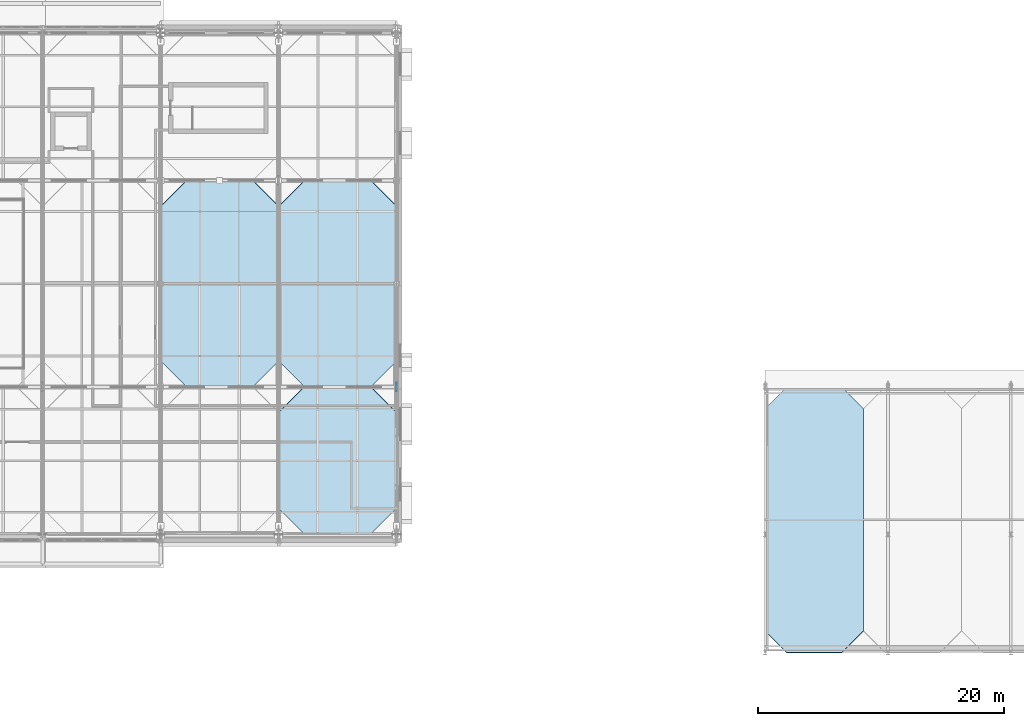
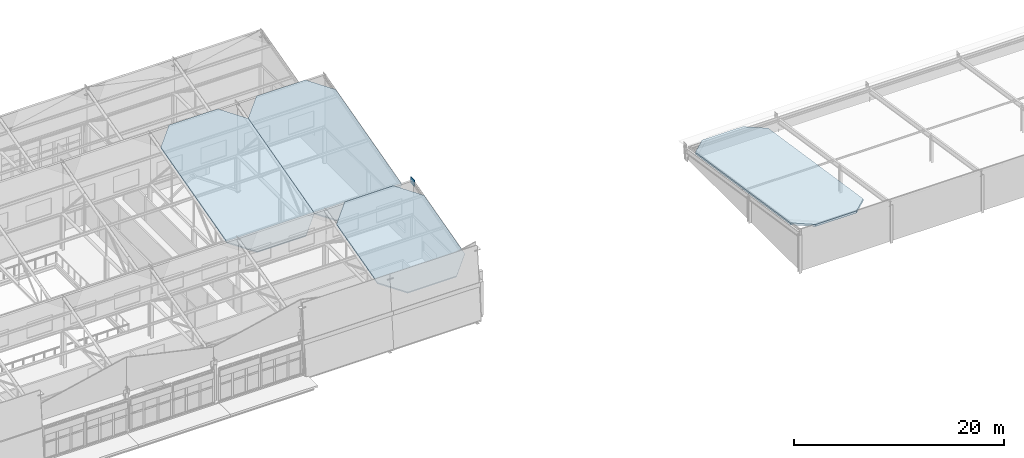
# One storey, part 63 of 89: 4 slabs, 1 plate, 2 elements without a shape of their own.
"""IFC4 building model written with IfcOpenShell, lengths in metres."""

from ifc_helpers import new_model, si_unit, direction, frame, origin, origin_2d, place, context, subcontext, project, spatial, polyline, rectangle, outline, extrude, material, layer, layer_set, type_object, element, aggregate, save


model = new_model("IFC4")

# Units and contexts
model_context = context("Model", 3, precision=1e-05, world=origin(), true_north=direction((0.0, 1.0)))
body_context = subcontext(model_context, "Body", "Model", "MODEL_VIEW")
ifc_project = project(units=[si_unit("LENGTHUNIT", "METRE"), si_unit("AREAUNIT", "SQUARE_METRE"), si_unit("VOLUMEUNIT", "CUBIC_METRE"), si_unit("PLANEANGLEUNIT", "RADIAN"), si_unit("MASSUNIT", "GRAM", prefix="KILO")], contexts=[model_context])

# Site, building, storey
site_placement = place(None, origin())
site = spatial("IfcSite", under=ifc_project, at=site_placement, CompositionType="ELEMENT")
building_placement = place(site_placement, origin())
building = spatial("IfcBuilding", under=site, at=building_placement, Name="Zereglee Splitstone Museum", CompositionType="ELEMENT")
storey_placement = place(building_placement, frame((0.0, 0.0, 21.300048828125)))
storey = spatial("IfcBuildingStorey", under=building, at=storey_placement, Name="L04", CompositionType="ELEMENT", Elevation=21.300048828125)

# Plate
ifc_material_1 = material(Name="Steel S355J2", Category="steel")
ifc_layer_1 = layer(ifc_material_1, 0.06005859375)
ifc_layer_set_1 = layer_set([ifc_layer_1], Name="Steel S355J2")
plate_type = type_object("IfcPlateType", Name="NP-01", PredefinedType="SHEET", material=ifc_layer_set_1)
plate_placement = place(storey_placement, frame((145.199951171875, 21.60009765625, 7.58984375), z_axis=(0.0, 0.0, 1.0), x_axis=(1.0, 0.0, 0.0)))
element("IfcPlate", 1, at=plate_placement, inside=storey, type_object=plate_type, Name="Sawtooth Truss Node Plate TN-08-1.3", PredefinedType="SHEET", context=body_context, shape_type="SweptSolid", body=[
    extrude(rectangle(XDim=0.06005859375, YDim=0.719970703125, at=origin_2d()), origin(), (0.0, 0.0, 1.0), 0.719970703125),
])

# Roof, slab
ifc_material_2 = material(Name="Standing-seam zinc roofing on Concrete C35/45", Category="concrete")
ifc_layer_2 = layer(ifc_material_2, 0.219970703125)
ifc_layer_set_2 = layer_set([ifc_layer_2], Name="Concrete C35/45")
roof_type = type_object("IfcRoofType", Name="RF-A1", PredefinedType="SHED_ROOF", material=ifc_layer_set_2)
roof_1_placement = place(storey_placement, origin())
roof_1 = element("IfcRoof", 2, at=roof_1_placement, inside=storey, type_object=roof_type, Name="Sloping Split-Rock Roof Assembly RF-V3", PredefinedType="SHED_ROOF")
ifc_material_3 = material(Name="Concrete C35/45", Category="concrete")
ifc_layer_3 = layer(ifc_material_3, 0.219970703125)
ifc_layer_set_3 = layer_set([ifc_layer_3], Name="Concrete C35/45")
slab_type_1 = type_object("IfcSlabType", Name="RS-02", PredefinedType="ROOF", material=ifc_layer_set_3)
slab_1_placement = place(storey_placement, frame((176.9599609375, 0.0, 4.949951171875), z_axis=(0.0, 0.151026348718, 0.988529737536), x_axis=(1.0, 0.0, 0.0)))
slab_1 = element("IfcSlab", 3, at=slab_1_placement, type_object=slab_type_1, Name="Split-Rock Roof Slab RF-V3 Panel 1", PredefinedType="ROOF", context=body_context, shape_type="SweptSolid", body=[
    extrude(outline(polyline([(0.0, 0.0), (4.47998046875, 0.0), (6.239990234375, 1.7804176972253993), (6.239990234375, 20.07027862309413), (4.47998046875, 21.850733191986695), (0.0, 21.850733191986695), (-1.760009765625, 20.07027862309413), (-1.760009765625, 1.7804176972253993), (0.0, 0.0)])), origin(), (0.0, 0.0, -1.0), 0.219970703125),
])
aggregate(roof_1, [slab_1])

# Roof, slabs
roof_2_placement = place(storey_placement, origin())
roof_2 = element("IfcRoof", 4, at=roof_2_placement, inside=storey, type_object=roof_type, Name="Seven-Bay North-Light Sawtooth Roof Assembly V2", PredefinedType="SHED_ROOF")
ifc_layer_4 = layer(ifc_material_3, 0.159912109375)
ifc_layer_set_4 = layer_set([ifc_layer_4], Name="Concrete C35/45")
slab_type_2 = type_object("IfcSlabType", Name="RS-06", PredefinedType="ROOF", material=ifc_layer_set_4)
slab_2_placement = place(storey_placement, frame((128.112060546875, 21.60009765625, 5.800048828125), z_axis=(0.0, -0.258735788064, 0.9659481311), x_axis=(1.0, 0.0, 0.0)))
slab_2 = element("IfcSlab", 5, at=slab_2_placement, type_object=slab_type_2, Name="Sawtooth Roof Slab Bay 6 Shed 2", PredefinedType="ROOF", context=body_context, shape_type="SweptSolid", body=[
    extrude(outline(polyline([(0.0, 0.0), (5.3759765625, 0.0), (7.488037109375, 2.1862651745498622), (7.488037109375, 15.205722644550846), (5.3759765625, 17.392050987017715), (0.0, 17.392050987017715), (-2.112060546875, 15.205722644550846), (-2.112060546875, 2.1862651745498622), (0.0, 0.0)])), origin(), (0.0, 0.0, -1.0), 0.159912109375),
])
slab_3_placement = place(storey_placement, frame((137.7119140625, 9.60009765625, 5.0), z_axis=(0.0, -0.257656921248, 0.9662364674), x_axis=(1.0, 0.0, 0.0)))
slab_3 = element("IfcSlab", 6, at=slab_3_placement, type_object=slab_type_2, Name="Sawtooth Roof Slab Bay 7 Shed 1", PredefinedType="ROOF", context=body_context, shape_type="SweptSolid", body=[
    extrude(outline(polyline([(0.0, 0.0), (5.3759765625, 0.0), (7.488037109375, 2.1856347559390428), (7.488037109375, 10.233456522371243), (5.3759765625, 12.419327175885334), (0.0, 12.419327175885334), (-2.11181640625, 10.233456522371243), (-2.11181640625, 2.1856347559390428), (0.0, 0.0)])), origin(), (0.0, 0.0, -1.0), 0.159912109375),
])
slab_4_placement = place(storey_placement, frame((137.7119140625, 21.60009765625, 5.800048828125), z_axis=(0.0, -0.258735788171, 0.965948131071), x_axis=(1.0, 0.0, 0.0)))
slab_4 = element("IfcSlab", 7, at=slab_4_placement, type_object=slab_type_2, Name="Sawtooth Roof Slab Bay 7 Shed 2", PredefinedType="ROOF", context=body_context, shape_type="SweptSolid", body=[
    extrude(outline(polyline([(0.0, 0.0), (5.3759765625, 0.0), (7.488037109375, 2.1862651745498627), (7.488037109375, 15.205722644550823), (5.3759765625, 17.392050987017722), (0.0, 17.392050987017722), (-2.11181640625, 15.205722644550823), (-2.11181640625, 2.1862651745498627), (0.0, 0.0)])), origin(), (0.0, 0.0, -1.0), 0.159912109375),
])
aggregate(roof_2, [slab_2, slab_3, slab_4])

save(model, "model.ifc")
